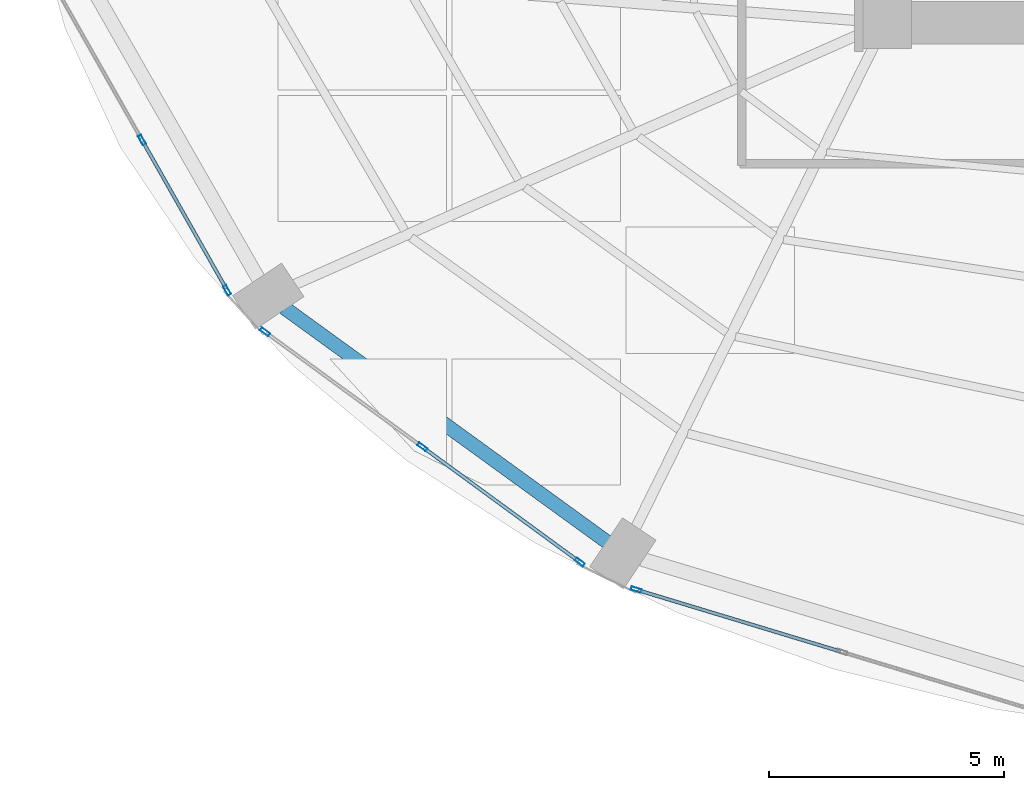
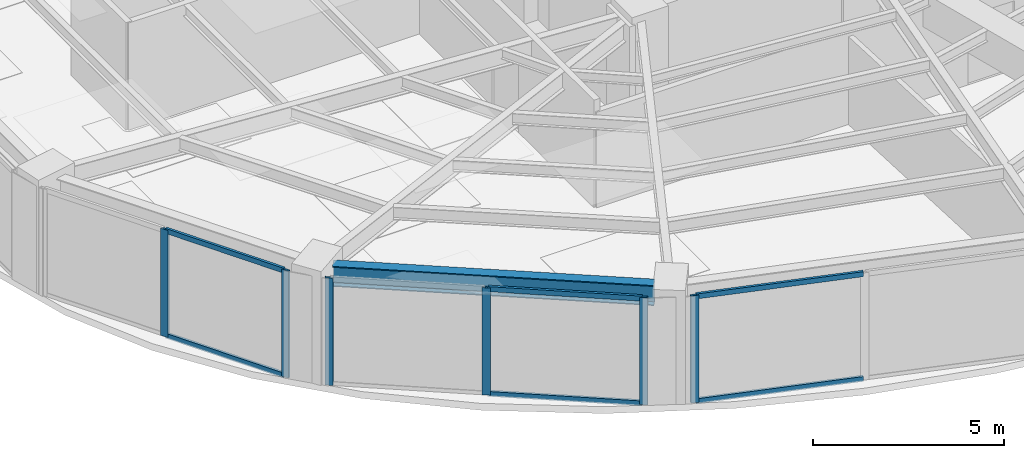
# One storey, part 2 of 25: 12 members, 1 beam, 3 elements without a shape of their own.
"""IFC4 building model written with IfcOpenShell, lengths in metres."""

from ifc_helpers import new_model, si_unit, direction, frame, origin, origin_2d, place, context, subcontext, project, spatial, hollow_rectangle, i_section, extrude, material, layer, layer_set, material_profile, profile_set, type_object, element, aggregate, save


model = new_model("IFC4")

# Units and contexts
model_context = context("Model", 3, precision=1e-05, world=origin(), true_north=direction((0.0, 1.0)))
body_context = subcontext(model_context, "Body", "Model", "MODEL_VIEW")
ifc_project = project(units=[si_unit("LENGTHUNIT", "METRE"), si_unit("AREAUNIT", "SQUARE_METRE"), si_unit("VOLUMEUNIT", "CUBIC_METRE"), si_unit("PLANEANGLEUNIT", "RADIAN"), si_unit("MASSUNIT", "GRAM", prefix="KILO")], contexts=[model_context])

# Site, building, storey
site_placement = place(None, origin())
site = spatial("IfcSite", under=ifc_project, at=site_placement, CompositionType="ELEMENT")
building_placement = place(site_placement, origin())
building = spatial("IfcBuilding", under=site, at=building_placement, Name="Lazwardi Medical Tower", CompositionType="ELEMENT")
storey_placement = place(building_placement, frame((0.0, 0.0, 50.736083984375)))
storey = spatial("IfcBuildingStorey", under=building, at=storey_placement, Name="L12", CompositionType="ELEMENT", Elevation=50.736083984375)

# Beam
ifc_material_1 = material(Name="Steel S355", Category="steel")
ifc_material_profile_1 = material_profile(ifc_material_1, i_section(OverallWidth=0.300048828125, OverallDepth=0.64990234375, WebThickness=0.01611328125, FlangeThickness=0.031005859375, at=origin_2d()), Name="HEB 650")
ifc_profile_set_1 = profile_set([ifc_material_profile_1], Name="Steel S355")
beam_type = type_object("IfcBeamType", Name="BM-RB-Z1", PredefinedType="BEAM", material=ifc_profile_set_1)
beam_placement = place(storey_placement, frame((13.6201171875, 14.339111328125, 3.10302734375), z_axis=(0.809407079515, -0.587247971159, 0.0), x_axis=(0.587247971159, 0.809407079515, 0.0)))
element("IfcBeam", 1, at=beam_placement, inside=storey, type_object=beam_type, Name="Ring beam RB-02 B14 L12", PredefinedType="BEAM", context=body_context, shape_type="SweptSolid", body=[
    extrude(i_section(OverallWidth=0.300048828125, OverallDepth=0.64990234375, WebThickness=0.01611328125, FlangeThickness=0.031005859375, at=origin_2d()), origin(), (0.0, 0.0, 1.0), 8.473876953125),
])

# Curtain wall, members
ifc_material_2 = material(Name="Anodised bronze aluminium and solar control glazing", Category="aluminium")
ifc_layer = layer(ifc_material_2, 0.199951171875)
ifc_layer_set = layer_set([ifc_layer], Name="Anodised bronze aluminium and solar control glazing")
curtain_wall_type = type_object("IfcCurtainWallType", Name="CW-SYS-02", PredefinedType="NOTDEFINED", material=ifc_layer_set)
curtain_wall_1_placement = place(storey_placement, origin())
curtain_wall_1 = element("IfcCurtainWall", 2, at=curtain_wall_1_placement, inside=storey, type_object=curtain_wall_type, Name="L12 Unitised bronze curtain wall CW-02", PredefinedType="NOTDEFINED")
ifc_material_3 = material(Name="Anodised bronze aluminium", Category="aluminium")
ifc_material_profile_2 = material_profile(ifc_material_3, hollow_rectangle(XDim=0.074951171875, YDim=0.219970703125, WallThickness=0.00390625, at=origin_2d()), Name="ALU-MULLION 220x75x4")
ifc_profile_set_2 = profile_set([ifc_material_profile_2], Name="Anodised bronze aluminium")
member_type_1 = type_object("IfcMemberType", Name="CW-MUL-01", PredefinedType="MULLION", material=ifc_profile_set_2)
member_1_placement = place(storey_placement, frame((10.5947265625, 17.904541015625, 0.0), z_axis=(0.0, 0.0, 1.0), x_axis=(0.870111838823, 0.492854327303, 0.0)))
member_1 = element("IfcMember", 3, at=member_1_placement, type_object=member_type_1, Name="CW-02 mullion 2", PredefinedType="MULLION", context=body_context, shape_type="SweptSolid", body=[
    extrude(hollow_rectangle(XDim=0.074951171875, YDim=0.219970703125, WallThickness=0.00390625, at=origin_2d()), origin(), (0.0, 0.0, 1.0), 3.427978515625),
])
member_2_placement = place(storey_placement, frame((12.4033203125, 14.71142578125, 0.0), z_axis=(0.0, 0.0, 1.0), x_axis=(0.870111838823, 0.492854327303, 0.0)))
member_2 = element("IfcMember", 4, at=member_2_placement, type_object=member_type_1, Name="CW-02 mullion 3", PredefinedType="MULLION", context=body_context, shape_type="SweptSolid", body=[
    extrude(hollow_rectangle(XDim=0.074951171875, YDim=0.219970703125, WallThickness=0.00390625, at=origin_2d()), origin(), (0.0, 0.0, 1.0), 3.427978515625),
])

curtain_wall_2_placement = place(storey_placement, origin())
curtain_wall_2 = element("IfcCurtainWall", 5, at=curtain_wall_2_placement, inside=storey, type_object=curtain_wall_type, Name="L12 Unitised bronze curtain wall CW-02", PredefinedType="NOTDEFINED")
member_3_placement = place(storey_placement, frame((13.209716796875, 13.827392578125, 0.0), z_axis=(0.0, 0.0, 1.0), x_axis=(0.590289307341, 0.807191757663, 0.0)))
member_3 = element("IfcMember", 6, at=member_3_placement, type_object=member_type_1, Name="CW-02 mullion 1", PredefinedType="MULLION", context=body_context, shape_type="SweptSolid", body=[
    extrude(hollow_rectangle(XDim=0.074951171875, YDim=0.219970703125, WallThickness=0.00390625, at=origin_2d()), origin(), (0.0, 0.0, 1.0), 3.427978515625),
])
member_4_placement = place(storey_placement, frame((16.5556640625, 11.380615234375, 0.0), z_axis=(0.0, 0.0, 1.0), x_axis=(0.590289307341, 0.807191757663, 0.0)))
member_4 = element("IfcMember", 7, at=member_4_placement, type_object=member_type_1, Name="CW-02 mullion 2", PredefinedType="MULLION", context=body_context, shape_type="SweptSolid", body=[
    extrude(hollow_rectangle(XDim=0.074951171875, YDim=0.219970703125, WallThickness=0.00390625, at=origin_2d()), origin(), (0.0, 0.0, 1.0), 3.427978515625),
])
member_5_placement = place(storey_placement, frame((19.9013671875, 8.933837890625, 0.0), z_axis=(0.0, 0.0, 1.0), x_axis=(0.590289307341, 0.807191757663, 0.0)))
member_5 = element("IfcMember", 8, at=member_5_placement, type_object=member_type_1, Name="CW-02 mullion 3", PredefinedType="MULLION", context=body_context, shape_type="SweptSolid", body=[
    extrude(hollow_rectangle(XDim=0.074951171875, YDim=0.219970703125, WallThickness=0.00390625, at=origin_2d()), origin(), (0.0, 0.0, 1.0), 3.427978515625),
])

# Curtain wall, member
curtain_wall_3_placement = place(storey_placement, origin())
curtain_wall_3 = element("IfcCurtainWall", 9, at=curtain_wall_3_placement, inside=storey, type_object=curtain_wall_type, Name="L12 Unitised bronze curtain wall CW-02", PredefinedType="NOTDEFINED")
member_6_placement = place(storey_placement, frame((21.1015625, 8.346923828125, 0.0), z_axis=(0.0, 0.0, 1.0), x_axis=(0.2898956909, 0.957058247129, 0.0)))
member_6 = element("IfcMember", 10, at=member_6_placement, type_object=member_type_1, Name="CW-02 mullion 1", PredefinedType="MULLION", context=body_context, shape_type="SweptSolid", body=[
    extrude(hollow_rectangle(XDim=0.074951171875, YDim=0.219970703125, WallThickness=0.00390625, at=origin_2d()), origin(), (0.0, 0.0, 1.0), 3.427978515625),
])

# Member
ifc_material_profile_3 = material_profile(ifc_material_3, hollow_rectangle(XDim=0.074951171875, YDim=0.159912109375, WallThickness=0.00390625, at=origin_2d()), Name="ALU-TRANSOM 160x75x4")
ifc_profile_set_3 = profile_set([ifc_material_profile_3], Name="Anodised bronze aluminium")
member_type_2 = type_object("IfcMemberType", Name="CW-TRN-01", PredefinedType="USERDEFINED", material=ifc_profile_set_3)
member_7_placement = place(storey_placement, frame((10.613037109375, 17.871826171875, 0.037353515625), z_axis=(0.492880614687, -0.870096948429, 0.0), x_axis=(0.870096948429, 0.492880614687, 0.0)))
member_7 = element("IfcMember", 11, at=member_7_placement, type_object=member_type_2, Name="CW-02 transom 2.1", ObjectType="TRANSOM", PredefinedType="USERDEFINED", context=body_context, shape_type="SweptSolid", body=[
    extrude(hollow_rectangle(XDim=0.074951171875, YDim=0.159912109375, WallThickness=0.00390625, at=origin_2d()), origin(), (0.0, 0.0, 1.0), 3.5947265625),
])

member_8_placement = place(storey_placement, frame((10.613037109375, 17.871826171875, 3.390380859375), z_axis=(0.492880614687, -0.870096948429, 0.0), x_axis=(0.870096948429, 0.492880614687, 0.0)))
member_8 = element("IfcMember", 12, at=member_8_placement, type_object=member_type_2, Name="CW-02 transom 2.2", ObjectType="TRANSOM", PredefinedType="USERDEFINED", context=body_context, shape_type="SweptSolid", body=[
    extrude(hollow_rectangle(XDim=0.074951171875, YDim=0.159912109375, WallThickness=0.00390625, at=origin_2d()), origin(), (0.0, 0.0, 1.0), 3.5947265625),
])

aggregate(curtain_wall_1, [member_1, member_2, member_7, member_8])

member_9_placement = place(storey_placement, frame((16.5859375, 11.358642578125, 0.037353515625), z_axis=(0.807169053975, -0.590320352271, 0.0), x_axis=(0.590320352271, 0.807169053975, 0.0)))
member_9 = element("IfcMember", 13, at=member_9_placement, type_object=member_type_2, Name="CW-02 transom 2.1", ObjectType="TRANSOM", PredefinedType="USERDEFINED", context=body_context, shape_type="SweptSolid", body=[
    extrude(hollow_rectangle(XDim=0.074951171875, YDim=0.159912109375, WallThickness=0.00390625, at=origin_2d()), origin(), (0.0, 0.0, 1.0), 4.070068359375),
])

member_10_placement = place(storey_placement, frame((16.5859375, 11.358642578125, 3.390380859375), z_axis=(0.807169053975, -0.590320352271, 0.0), x_axis=(0.590320352271, 0.807169053975, 0.0)))
member_10 = element("IfcMember", 14, at=member_10_placement, type_object=member_type_2, Name="CW-02 transom 2.2", ObjectType="TRANSOM", PredefinedType="USERDEFINED", context=body_context, shape_type="SweptSolid", body=[
    extrude(hollow_rectangle(XDim=0.074951171875, YDim=0.159912109375, WallThickness=0.00390625, at=origin_2d()), origin(), (0.0, 0.0, 1.0), 4.070068359375),
])

aggregate(curtain_wall_2, [member_3, member_4, member_5, member_9, member_10])

member_11_placement = place(storey_placement, frame((21.137451171875, 8.3359375, 0.037353515625), z_axis=(0.957062297904, -0.289882317383, 0.0), x_axis=(0.289882317383, 0.957062297904, 0.0)))
member_11 = element("IfcMember", 15, at=member_11_placement, type_object=member_type_2, Name="CW-02 transom 1.1", ObjectType="TRANSOM", PredefinedType="USERDEFINED", context=body_context, shape_type="SweptSolid", body=[
    extrude(hollow_rectangle(XDim=0.074951171875, YDim=0.159912109375, WallThickness=0.00390625, at=origin_2d()), origin(), (0.0, 0.0, 1.0), 4.49658203125),
])

member_12_placement = place(storey_placement, frame((21.137451171875, 8.3359375, 3.390380859375), z_axis=(0.957062297904, -0.289882317383, 0.0), x_axis=(0.289882317383, 0.957062297904, 0.0)))
member_12 = element("IfcMember", 16, at=member_12_placement, type_object=member_type_2, Name="CW-02 transom 1.2", ObjectType="TRANSOM", PredefinedType="USERDEFINED", context=body_context, shape_type="SweptSolid", body=[
    extrude(hollow_rectangle(XDim=0.074951171875, YDim=0.159912109375, WallThickness=0.00390625, at=origin_2d()), origin(), (0.0, 0.0, 1.0), 4.49658203125),
])

aggregate(curtain_wall_3, [member_6, member_11, member_12])

save(model, "model.ifc")
